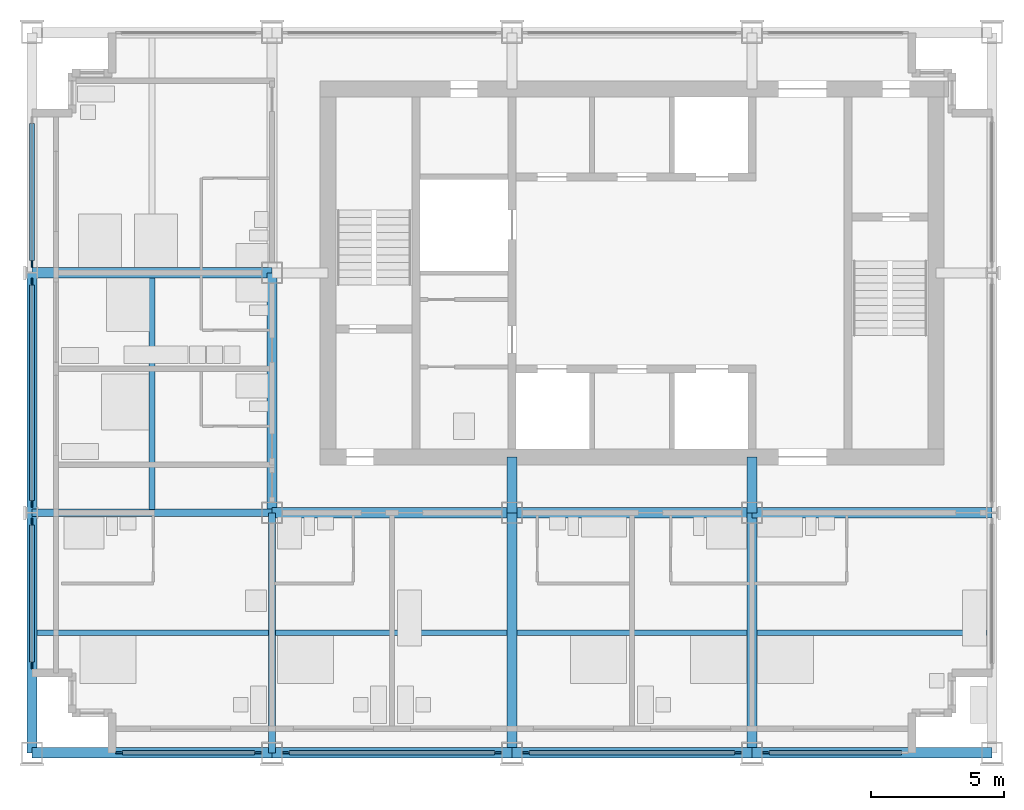
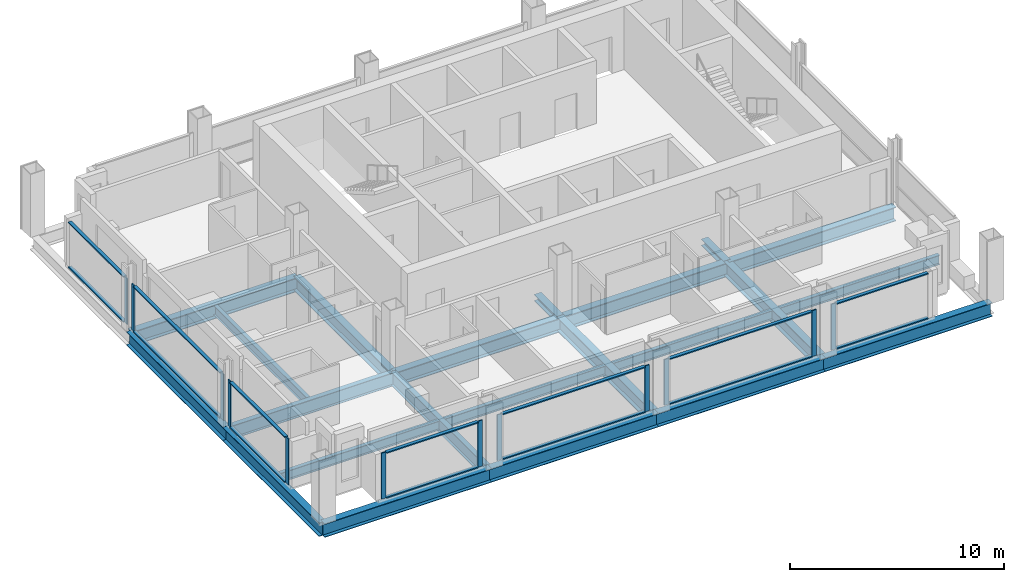
# One storey, part 2 of 12: 28 members, 20 beams, 7 elements without a shape of their own.
"""IFC4 building model written with IfcOpenShell, lengths in metres."""

from ifc_helpers import new_model, si_unit, direction, frame, origin, origin_2d, place, context, subcontext, project, spatial, rectangle, i_section, extrude, material, material_profile, profile_set, type_object, element, aggregate, save


model = new_model("IFC4")

# Units and contexts
model_context = context("Model", 3, precision=1e-05, world=origin(), true_north=direction((0.0, 1.0)))
body_context = subcontext(model_context, "Body", "Model", "MODEL_VIEW")
ifc_project = project(units=[si_unit("LENGTHUNIT", "METRE"), si_unit("AREAUNIT", "SQUARE_METRE"), si_unit("VOLUMEUNIT", "CUBIC_METRE"), si_unit("PLANEANGLEUNIT", "RADIAN"), si_unit("MASSUNIT", "GRAM", prefix="KILO")], contexts=[model_context])

# Site, building, storey
site_placement = place(None, origin())
site = spatial("IfcSite", under=ifc_project, at=site_placement, CompositionType="ELEMENT")
building_placement = place(site_placement, origin())
building = spatial("IfcBuilding", under=site, at=building_placement, Name="Loomwork Tower", CompositionType="ELEMENT")
storey_placement = place(building_placement, frame((0.0, 0.0, 233.800048828125)))
storey = spatial("IfcBuildingStorey", under=building, at=storey_placement, Name="L64", CompositionType="ELEMENT", Elevation=233.800048828125)

# Beams
ifc_material_1 = material(Name="Steel ASTM A992", Category="steel")
ifc_material_profile_1 = material_profile(ifc_material_1, i_section(OverallWidth=0.383544921875, OverallDepth=0.794921875, WebThickness=0.02099609375, FlangeThickness=0.0380859375, at=origin_2d()), Name="W30x235")
ifc_profile_set_1 = profile_set([ifc_material_profile_1], Name="Steel ASTM A992")
beam_type_1 = type_object("IfcBeamType", Name="CORE FLANK GIRDER W30x235", PredefinedType="BEAM", material=ifc_profile_set_1)
for number, where, z_axis, x_axis, name in (
    (1, (9.0, 9.0, -0.59765625), (1.0, 0.0, 0.0), (0.0, 1.0, 0.0), "Core Flank Girder E/3-E/4 L64"),
    (2, (18.0, 9.0, -0.59765625), (1.0, 0.0, 0.0), (0.0, 1.0, 0.0), "Core Flank Girder E/4-E/5 L64"),
    (3, (27.0, 9.0, -0.59765625), (1.0, 0.0, 0.0), (0.0, 1.0, 0.0), "Core Flank Girder E/5-E/6 L64"),
    (4, (0.0, 18.0, -0.59765625), (1.0, 0.0, 0.0), (0.0, 1.0, 0.0), "Core Flank Girder F/2-F/3 L64"),
    (5, (9.0, 9.0, -0.59765625), (0.0, 1.0, 0.0), (-1.0, 0.0, 0.0), "Core Flank Girder E/3-F/3 L64"),
    (6, (18.0, 0.0, -0.59765625), (0.0, 1.0, 0.0), (-1.0, 0.0, 0.0), "Core Flank Girder D/4-E/4 L64"),
    (7, (27.0, 0.0, -0.59765625), (0.0, 1.0, 0.0), (-1.0, 0.0, 0.0), "Core Flank Girder D/5-E/5 L64"),
):
    element("IfcBeam", number, at=place(storey_placement, frame(where, z_axis=z_axis, x_axis=x_axis)), inside=storey, type_object=beam_type_1, Name=name, PredefinedType="BEAM", context=body_context, shape_type="SweptSolid", body=[
        extrude(i_section(OverallWidth=0.383544921875, OverallDepth=0.794921875, WebThickness=0.02099609375, FlangeThickness=0.0380859375, at=origin_2d()), origin(), (0.0, 0.0, 1.0), 9.0),
    ])

# Members
ifc_material_2 = material(Name="Steel ASTM A992", Category="steel")
ifc_material_profile_2 = material_profile(ifc_material_2, i_section(OverallWidth=0.373291015625, OverallDepth=0.373291015625, WebThickness=0.016357421875, FlangeThickness=0.026123046875, at=origin_2d()), Name="W14x132")
ifc_profile_set_2 = profile_set([ifc_material_profile_2], Name="Steel ASTM A992")
member_type_1 = type_object("IfcMemberType", Name="CORE LINK STRUT W14x132", PredefinedType="STRUT", material=ifc_profile_set_2)
for number, where, z_axis, x_axis, name in (
    (8, (18.0, 9.0, -0.38671875), (0.0, 1.0, 0.0), (-1.0, 0.0, 0.0), "Core link strut E/4-18.000,11.100 L64"),
    (9, (27.0, 9.0, -0.38671875), (0.0, 1.0, 0.0), (-1.0, 0.0, 0.0), "Core link strut E/5-27.000,11.100 L64"),
):
    element("IfcMember", number, at=place(storey_placement, frame(where, z_axis=z_axis, x_axis=x_axis)), inside=storey, type_object=member_type_1, Name=name, PredefinedType="STRUT", context=body_context, shape_type="SweptSolid", body=[
        extrude(i_section(OverallWidth=0.373291015625, OverallDepth=0.373291015625, WebThickness=0.016357421875, FlangeThickness=0.026123046875, at=origin_2d()), origin(), (0.0, 0.0, 1.0), 2.10009765625),
    ])

# Beams
ifc_material_3 = material(Name="Steel ASTM A992", Category="steel")
ifc_material_profile_3 = material_profile(ifc_material_3, i_section(OverallWidth=0.2666015625, OverallDepth=0.761962890625, WebThickness=0.014404296875, FlangeThickness=0.021484375, at=origin_2d()), Name="W30x116")
ifc_profile_set_3 = profile_set([ifc_material_profile_3], Name="Steel ASTM A992")
beam_type_2 = type_object("IfcBeamType", Name="FLOOR GIRDER W30x116", PredefinedType="BEAM", material=ifc_profile_set_3)
for number, where, z_axis, x_axis, name in (
    (10, (0.0, 9.0, -0.5810546875), (1.0, 0.0, 0.0), (0.0, 1.0, 0.0), "Floor Girder E/2-E/3 L64"),
    (11, (9.0, 0.0, -0.5810546875), (0.0, 1.0, 0.0), (-1.0, 0.0, 0.0), "Floor Girder D/3-E/3 L64"),
):
    element("IfcBeam", number, at=place(storey_placement, frame(where, z_axis=z_axis, x_axis=x_axis)), inside=storey, type_object=beam_type_2, Name=name, PredefinedType="BEAM", context=body_context, shape_type="SweptSolid", body=[
        extrude(i_section(OverallWidth=0.2666015625, OverallDepth=0.761962890625, WebThickness=0.014404296875, FlangeThickness=0.021484375, at=origin_2d()), origin(), (0.0, 0.0, 1.0), 9.0),
    ])
ifc_material_4 = material(Name="Steel ASTM A992", Category="steel")
ifc_material_profile_4 = material_profile(ifc_material_4, i_section(OverallWidth=0.2109375, OverallDepth=0.53857421875, WebThickness=0.011474609375, FlangeThickness=0.018798828125, at=origin_2d()), Name="W21x73")
ifc_profile_set_4 = profile_set([ifc_material_profile_4], Name="Steel ASTM A992")
beam_type_3 = type_object("IfcBeamType", Name="FLOOR JOIST W21x73", PredefinedType="JOIST", material=ifc_profile_set_4)
beam_1_placement = place(storey_placement, frame((0.18994140625, 4.5, -0.46923828125), z_axis=(1.0, 0.0, 0.0), x_axis=(0.0, 1.0, 0.0)))
element("IfcBeam", 12, at=beam_1_placement, inside=storey, type_object=beam_type_3, Name="Floor Joist 0.000,4.500-9.000,4.500 L64", PredefinedType="JOIST", context=body_context, shape_type="SweptSolid", body=[
    extrude(i_section(OverallWidth=0.2109375, OverallDepth=0.53857421875, WebThickness=0.011474609375, FlangeThickness=0.018798828125, at=origin_2d()), origin(), (0.0, 0.0, 1.0), 8.677001953125),
])
for number, where, z_axis, x_axis, name in (
    (13, (4.5, 9.133056640625, -0.46923828125), (0.0, 1.0, 0.0), (-1.0, 0.0, 0.0), "Floor Joist 4.500,9.000-4.500,18.000 L64"),
    (14, (9.133056640625, 4.5, -0.46923828125), (1.0, 0.0, 0.0), (0.0, 1.0, 0.0), "Floor Joist 9.000,4.500-18.000,4.500 L64"),
):
    element("IfcBeam", number, at=place(storey_placement, frame(where, z_axis=z_axis, x_axis=x_axis)), inside=storey, type_object=beam_type_3, Name=name, PredefinedType="JOIST", context=body_context, shape_type="SweptSolid", body=[
        extrude(i_section(OverallWidth=0.2109375, OverallDepth=0.53857421875, WebThickness=0.011474609375, FlangeThickness=0.018798828125, at=origin_2d()), origin(), (0.0, 0.0, 1.0), 8.676025390625),
    ])
beam_2_placement = place(storey_placement, frame((18.19091796875, 4.5, -0.46923828125), z_axis=(1.0, 0.0, 0.0), x_axis=(0.0, 1.0, 0.0)))
element("IfcBeam", 15, at=beam_2_placement, inside=storey, type_object=beam_type_3, Name="Floor Joist 18.000,4.500-27.000,4.500 L64", PredefinedType="JOIST", context=body_context, shape_type="SweptSolid", body=[
    extrude(i_section(OverallWidth=0.2109375, OverallDepth=0.53857421875, WebThickness=0.011474609375, FlangeThickness=0.018798828125, at=origin_2d()), origin(), (0.0, 0.0, 1.0), 8.6181640625),
])
beam_3_placement = place(storey_placement, frame((27.19091796875, 4.5, -0.46923828125), z_axis=(1.0, 0.0, 0.0), x_axis=(0.0, 1.0, 0.0)))
element("IfcBeam", 16, at=beam_3_placement, inside=storey, type_object=beam_type_3, Name="Floor Joist 27.000,4.500-36.000,4.500 L64", PredefinedType="JOIST", context=body_context, shape_type="SweptSolid", body=[
    extrude(i_section(OverallWidth=0.2109375, OverallDepth=0.53857421875, WebThickness=0.011474609375, FlangeThickness=0.018798828125, at=origin_2d()), origin(), (0.0, 0.0, 1.0), 8.619140625),
])

# Curtain wall, members
ifc_material_5 = material(Name="Aluminium curtain wall frame", Category="aluminium")
curtain_wall_type = type_object("IfcCurtainWallType", Name="Outer skin glazing suites", PredefinedType="NOTDEFINED", material=ifc_material_5)
curtain_wall_1_placement = place(storey_placement, origin())
curtain_wall_1 = element("IfcCurtainWall", 17, at=curtain_wall_1_placement, inside=storey, type_object=curtain_wall_type, Name="Outer skin glazing suites cw/S-0", PredefinedType="NOTDEFINED")
ifc_material_6 = material(Name="Aluminium curtain wall frame", Category="aluminium")
ifc_material_profile_5 = material_profile(ifc_material_6, rectangle(XDim=0.06494140625, YDim=0.25, at=origin_2d()), Name="AL 65x250")
ifc_profile_set_5 = profile_set([ifc_material_profile_5], Name="Aluminium curtain wall frame")
member_type_2 = type_object("IfcMemberType", Name="Outer skin glazing suites mullion", PredefinedType="MULLION", material=ifc_profile_set_5)
member_1_placement = place(storey_placement, frame((3.27490234375, 0.0, 0.0), z_axis=(0.0, 0.0, 1.0), x_axis=(0.0, 1.0, 0.0)))
member_1 = element("IfcMember", 18, at=member_1_placement, type_object=member_type_2, Name="CW2 mullion 1", PredefinedType="MULLION", context=body_context, shape_type="SweptSolid", body=[
    extrude(rectangle(XDim=0.06494140625, YDim=0.25, at=origin_2d()), origin(), (0.0, 0.0, 1.0), 2.6201171875),
])
member_2_placement = place(storey_placement, frame((8.47509765625, 0.0, 0.0), z_axis=(0.0, 0.0, 1.0), x_axis=(0.0, 1.0, 0.0)))
member_2 = element("IfcMember", 19, at=member_2_placement, type_object=member_type_2, Name="CW2 mullion 2", PredefinedType="MULLION", context=body_context, shape_type="SweptSolid", body=[
    extrude(rectangle(XDim=0.06494140625, YDim=0.25, at=origin_2d()), origin(), (0.0, 0.0, 1.0), 2.6201171875),
])

curtain_wall_2_placement = place(storey_placement, origin())
curtain_wall_2 = element("IfcCurtainWall", 20, at=curtain_wall_2_placement, inside=storey, type_object=curtain_wall_type, Name="Outer skin glazing suites cw/S-9", PredefinedType="NOTDEFINED")
member_3_placement = place(storey_placement, frame((9.52490234375, 0.0, 0.0), z_axis=(0.0, 0.0, 1.0), x_axis=(0.0, 1.0, 0.0)))
member_3 = element("IfcMember", 21, at=member_3_placement, type_object=member_type_2, Name="CW2 mullion 1", PredefinedType="MULLION", context=body_context, shape_type="SweptSolid", body=[
    extrude(rectangle(XDim=0.06494140625, YDim=0.25, at=origin_2d()), origin(), (0.0, 0.0, 1.0), 2.6201171875),
])
member_4_placement = place(storey_placement, frame((17.47509765625, 0.0, 0.0), z_axis=(0.0, 0.0, 1.0), x_axis=(0.0, 1.0, 0.0)))
member_4 = element("IfcMember", 22, at=member_4_placement, type_object=member_type_2, Name="CW2 mullion 2", PredefinedType="MULLION", context=body_context, shape_type="SweptSolid", body=[
    extrude(rectangle(XDim=0.06494140625, YDim=0.25, at=origin_2d()), origin(), (0.0, 0.0, 1.0), 2.6201171875),
])

curtain_wall_3_placement = place(storey_placement, origin())
curtain_wall_3 = element("IfcCurtainWall", 23, at=curtain_wall_3_placement, inside=storey, type_object=curtain_wall_type, Name="Outer skin glazing suites cw/S-18", PredefinedType="NOTDEFINED")
member_5_placement = place(storey_placement, frame((18.52490234375, 0.0, 0.0), z_axis=(0.0, 0.0, 1.0), x_axis=(0.0, 1.0, 0.0)))
member_5 = element("IfcMember", 24, at=member_5_placement, type_object=member_type_2, Name="CW2 mullion 1", PredefinedType="MULLION", context=body_context, shape_type="SweptSolid", body=[
    extrude(rectangle(XDim=0.06494140625, YDim=0.25, at=origin_2d()), origin(), (0.0, 0.0, 1.0), 2.6201171875),
])
member_6_placement = place(storey_placement, frame((26.47509765625, 0.0, 0.0), z_axis=(0.0, 0.0, 1.0), x_axis=(0.0, 1.0, 0.0)))
member_6 = element("IfcMember", 25, at=member_6_placement, type_object=member_type_2, Name="CW2 mullion 2", PredefinedType="MULLION", context=body_context, shape_type="SweptSolid", body=[
    extrude(rectangle(XDim=0.06494140625, YDim=0.25, at=origin_2d()), origin(), (0.0, 0.0, 1.0), 2.6201171875),
])

# Curtain wall, member
curtain_wall_4_placement = place(storey_placement, origin())
curtain_wall_4 = element("IfcCurtainWall", 26, at=curtain_wall_4_placement, inside=storey, type_object=curtain_wall_type, Name="Outer skin glazing suites cw/S-27", PredefinedType="NOTDEFINED")
member_7_placement = place(storey_placement, frame((27.52490234375, 0.0, 0.0), z_axis=(0.0, 0.0, 1.0), x_axis=(0.0, 1.0, 0.0)))
member_7 = element("IfcMember", 27, at=member_7_placement, type_object=member_type_2, Name="CW2 mullion 1", PredefinedType="MULLION", context=body_context, shape_type="SweptSolid", body=[
    extrude(rectangle(XDim=0.06494140625, YDim=0.25, at=origin_2d()), origin(), (0.0, 0.0, 1.0), 2.6201171875),
])

# Curtain wall, members
curtain_wall_5_placement = place(storey_placement, origin())
curtain_wall_5 = element("IfcCurtainWall", 28, at=curtain_wall_5_placement, inside=storey, type_object=curtain_wall_type, Name="Outer skin glazing suites cw/W-0", PredefinedType="NOTDEFINED")
member_8_placement = place(storey_placement, frame((0.0, 8.664306640625, 0.0), z_axis=(0.0, 0.0, 1.0), x_axis=(1.0, 0.0, 0.0)))
member_8 = element("IfcMember", 29, at=member_8_placement, type_object=member_type_2, Name="CW2 mullion 1", PredefinedType="MULLION", context=body_context, shape_type="SweptSolid", body=[
    extrude(rectangle(XDim=0.06494140625, YDim=0.25, at=origin_2d()), origin(), (0.0, 0.0, 1.0), 2.6201171875),
])
member_9_placement = place(storey_placement, frame((0.0, 3.27490234375, 0.0), z_axis=(0.0, 0.0, 1.0), x_axis=(1.0, 0.0, 0.0)))
member_9 = element("IfcMember", 30, at=member_9_placement, type_object=member_type_2, Name="CW2 mullion 2", PredefinedType="MULLION", context=body_context, shape_type="SweptSolid", body=[
    extrude(rectangle(XDim=0.06494140625, YDim=0.25, at=origin_2d()), origin(), (0.0, 0.0, 1.0), 2.6201171875),
])

curtain_wall_6_placement = place(storey_placement, origin())
curtain_wall_6 = element("IfcCurtainWall", 31, at=curtain_wall_6_placement, inside=storey, type_object=curtain_wall_type, Name="Outer skin glazing suites cw/W-9", PredefinedType="NOTDEFINED")
member_10_placement = place(storey_placement, frame((0.0, 17.664306640625, 0.0), z_axis=(0.0, 0.0, 1.0), x_axis=(1.0, 0.0, 0.0)))
member_10 = element("IfcMember", 32, at=member_10_placement, type_object=member_type_2, Name="CW2 mullion 1", PredefinedType="MULLION", context=body_context, shape_type="SweptSolid", body=[
    extrude(rectangle(XDim=0.06494140625, YDim=0.25, at=origin_2d()), origin(), (0.0, 0.0, 1.0), 2.6201171875),
])
member_11_placement = place(storey_placement, frame((0.0, 9.335693359375, 0.0), z_axis=(0.0, 0.0, 1.0), x_axis=(1.0, 0.0, 0.0)))
member_11 = element("IfcMember", 33, at=member_11_placement, type_object=member_type_2, Name="CW2 mullion 2", PredefinedType="MULLION", context=body_context, shape_type="SweptSolid", body=[
    extrude(rectangle(XDim=0.06494140625, YDim=0.25, at=origin_2d()), origin(), (0.0, 0.0, 1.0), 2.6201171875),
])

# Curtain wall, member
curtain_wall_7_placement = place(storey_placement, origin())
curtain_wall_7 = element("IfcCurtainWall", 34, at=curtain_wall_7_placement, inside=storey, type_object=curtain_wall_type, Name="Outer skin glazing suites cw/W-18", PredefinedType="NOTDEFINED")
member_12_placement = place(storey_placement, frame((0.0, 18.335693359375, 0.0), z_axis=(0.0, 0.0, 1.0), x_axis=(1.0, 0.0, 0.0)))
member_12 = element("IfcMember", 35, at=member_12_placement, type_object=member_type_2, Name="CW2 mullion 2", PredefinedType="MULLION", context=body_context, shape_type="SweptSolid", body=[
    extrude(rectangle(XDim=0.06494140625, YDim=0.25, at=origin_2d()), origin(), (0.0, 0.0, 1.0), 2.6201171875),
])

# Member
ifc_material_7 = material(Name="Aluminium curtain wall frame", Category="aluminium")
ifc_material_profile_6 = material_profile(ifc_material_7, rectangle(XDim=0.179931640625, YDim=0.06494140625, at=origin_2d()), Name="AL 65x180")
ifc_profile_set_6 = profile_set([ifc_material_profile_6], Name="Aluminium curtain wall frame")
member_type_3 = type_object("IfcMemberType", Name="Outer skin glazing suites transom", PredefinedType="USERDEFINED", material=ifc_profile_set_6)
member_13_placement = place(storey_placement, frame((3.39990234375, 0.0, 0.032470703125), z_axis=(1.0, 0.0, 0.0), x_axis=(0.0, 1.0, 0.0)))
member_13 = element("IfcMember", 36, at=member_13_placement, type_object=member_type_3, Name="CW2 transom 1.1", ObjectType="TRANSOM", PredefinedType="USERDEFINED", context=body_context, shape_type="SweptSolid", body=[
    extrude(rectangle(XDim=0.179931640625, YDim=0.06494140625, at=origin_2d()), origin(), (0.0, 0.0, 1.0), 4.9501953125),
])

member_14_placement = place(storey_placement, frame((3.39990234375, 0.0, 2.587646484375), z_axis=(1.0, 0.0, 0.0), x_axis=(0.0, 1.0, 0.0)))
member_14 = element("IfcMember", 37, at=member_14_placement, type_object=member_type_3, Name="CW2 transom 1.2", ObjectType="TRANSOM", PredefinedType="USERDEFINED", context=body_context, shape_type="SweptSolid", body=[
    extrude(rectangle(XDim=0.179931640625, YDim=0.06494140625, at=origin_2d()), origin(), (0.0, 0.0, 1.0), 4.9501953125),
])

aggregate(curtain_wall_1, [member_1, member_2, member_13, member_14])

member_15_placement = place(storey_placement, frame((9.64990234375, 0.0, 0.032470703125), z_axis=(1.0, 0.0, 0.0), x_axis=(0.0, 1.0, 0.0)))
member_15 = element("IfcMember", 38, at=member_15_placement, type_object=member_type_3, Name="CW2 transom 1.1", ObjectType="TRANSOM", PredefinedType="USERDEFINED", context=body_context, shape_type="SweptSolid", body=[
    extrude(rectangle(XDim=0.179931640625, YDim=0.06494140625, at=origin_2d()), origin(), (0.0, 0.0, 1.0), 7.7001953125),
])

member_16_placement = place(storey_placement, frame((9.64990234375, 0.0, 2.587646484375), z_axis=(1.0, 0.0, 0.0), x_axis=(0.0, 1.0, 0.0)))
member_16 = element("IfcMember", 39, at=member_16_placement, type_object=member_type_3, Name="CW2 transom 1.2", ObjectType="TRANSOM", PredefinedType="USERDEFINED", context=body_context, shape_type="SweptSolid", body=[
    extrude(rectangle(XDim=0.179931640625, YDim=0.06494140625, at=origin_2d()), origin(), (0.0, 0.0, 1.0), 7.7001953125),
])

aggregate(curtain_wall_2, [member_3, member_4, member_15, member_16])

member_17_placement = place(storey_placement, frame((18.64990234375, 0.0, 0.032470703125), z_axis=(1.0, 0.0, 0.0), x_axis=(0.0, 1.0, 0.0)))
member_17 = element("IfcMember", 40, at=member_17_placement, type_object=member_type_3, Name="CW2 transom 1.1", ObjectType="TRANSOM", PredefinedType="USERDEFINED", context=body_context, shape_type="SweptSolid", body=[
    extrude(rectangle(XDim=0.179931640625, YDim=0.06494140625, at=origin_2d()), origin(), (0.0, 0.0, 1.0), 7.7001953125),
])

member_18_placement = place(storey_placement, frame((18.64990234375, 0.0, 2.587646484375), z_axis=(1.0, 0.0, 0.0), x_axis=(0.0, 1.0, 0.0)))
member_18 = element("IfcMember", 41, at=member_18_placement, type_object=member_type_3, Name="CW2 transom 1.2", ObjectType="TRANSOM", PredefinedType="USERDEFINED", context=body_context, shape_type="SweptSolid", body=[
    extrude(rectangle(XDim=0.179931640625, YDim=0.06494140625, at=origin_2d()), origin(), (0.0, 0.0, 1.0), 7.7001953125),
])

aggregate(curtain_wall_3, [member_5, member_6, member_17, member_18])

member_19_placement = place(storey_placement, frame((27.64990234375, 0.0, 0.032470703125), z_axis=(1.0, 0.0, 0.0), x_axis=(0.0, 1.0, 0.0)))
member_19 = element("IfcMember", 42, at=member_19_placement, type_object=member_type_3, Name="CW2 transom 1.1", ObjectType="TRANSOM", PredefinedType="USERDEFINED", context=body_context, shape_type="SweptSolid", body=[
    extrude(rectangle(XDim=0.179931640625, YDim=0.06494140625, at=origin_2d()), origin(), (0.0, 0.0, 1.0), 4.9501953125),
])

member_20_placement = place(storey_placement, frame((27.64990234375, 0.0, 2.587646484375), z_axis=(1.0, 0.0, 0.0), x_axis=(0.0, 1.0, 0.0)))
member_20 = element("IfcMember", 43, at=member_20_placement, type_object=member_type_3, Name="CW2 transom 1.2", ObjectType="TRANSOM", PredefinedType="USERDEFINED", context=body_context, shape_type="SweptSolid", body=[
    extrude(rectangle(XDim=0.179931640625, YDim=0.06494140625, at=origin_2d()), origin(), (0.0, 0.0, 1.0), 4.9501953125),
])

aggregate(curtain_wall_4, [member_7, member_19, member_20])

member_21_placement = place(storey_placement, frame((0.0, 8.539306640625, 0.032470703125), z_axis=(0.0, -1.0, 0.0), x_axis=(1.0, 0.0, 0.0)))
member_21 = element("IfcMember", 44, at=member_21_placement, type_object=member_type_3, Name="CW2 transom 1.1", ObjectType="TRANSOM", PredefinedType="USERDEFINED", context=body_context, shape_type="SweptSolid", body=[
    extrude(rectangle(XDim=0.179931640625, YDim=0.06494140625, at=origin_2d()), origin(), (0.0, 0.0, 1.0), 5.139404296875),
])

member_22_placement = place(storey_placement, frame((0.0, 8.539306640625, 2.587646484375), z_axis=(0.0, -1.0, 0.0), x_axis=(1.0, 0.0, 0.0)))
member_22 = element("IfcMember", 45, at=member_22_placement, type_object=member_type_3, Name="CW2 transom 1.2", ObjectType="TRANSOM", PredefinedType="USERDEFINED", context=body_context, shape_type="SweptSolid", body=[
    extrude(rectangle(XDim=0.179931640625, YDim=0.06494140625, at=origin_2d()), origin(), (0.0, 0.0, 1.0), 5.139404296875),
])

aggregate(curtain_wall_5, [member_8, member_9, member_21, member_22])

member_23_placement = place(storey_placement, frame((0.0, 17.539306640625, 0.032470703125), z_axis=(0.0, -1.0, 0.0), x_axis=(1.0, 0.0, 0.0)))
member_23 = element("IfcMember", 46, at=member_23_placement, type_object=member_type_3, Name="CW2 transom 1.1", ObjectType="TRANSOM", PredefinedType="USERDEFINED", context=body_context, shape_type="SweptSolid", body=[
    extrude(rectangle(XDim=0.179931640625, YDim=0.06494140625, at=origin_2d()), origin(), (0.0, 0.0, 1.0), 8.07861328125),
])

member_24_placement = place(storey_placement, frame((0.0, 17.539306640625, 2.587646484375), z_axis=(0.0, -1.0, 0.0), x_axis=(1.0, 0.0, 0.0)))
member_24 = element("IfcMember", 47, at=member_24_placement, type_object=member_type_3, Name="CW2 transom 1.2", ObjectType="TRANSOM", PredefinedType="USERDEFINED", context=body_context, shape_type="SweptSolid", body=[
    extrude(rectangle(XDim=0.179931640625, YDim=0.06494140625, at=origin_2d()), origin(), (0.0, 0.0, 1.0), 8.07861328125),
])

aggregate(curtain_wall_6, [member_10, member_11, member_23, member_24])

member_25_placement = place(storey_placement, frame((0.0, 23.60009765625, 0.032470703125), z_axis=(0.0, -1.0, 0.0), x_axis=(1.0, 0.0, 0.0)))
member_25 = element("IfcMember", 48, at=member_25_placement, type_object=member_type_3, Name="CW2 transom 1.1", ObjectType="TRANSOM", PredefinedType="USERDEFINED", context=body_context, shape_type="SweptSolid", body=[
    extrude(rectangle(XDim=0.179931640625, YDim=0.06494140625, at=origin_2d()), origin(), (0.0, 0.0, 1.0), 5.139404296875),
])

member_26_placement = place(storey_placement, frame((0.0, 23.60009765625, 2.587646484375), z_axis=(0.0, -1.0, 0.0), x_axis=(1.0, 0.0, 0.0)))
member_26 = element("IfcMember", 49, at=member_26_placement, type_object=member_type_3, Name="CW2 transom 1.2", ObjectType="TRANSOM", PredefinedType="USERDEFINED", context=body_context, shape_type="SweptSolid", body=[
    extrude(rectangle(XDim=0.179931640625, YDim=0.06494140625, at=origin_2d()), origin(), (0.0, 0.0, 1.0), 5.139404296875),
])

aggregate(curtain_wall_7, [member_12, member_25, member_26])

# Beams
ifc_material_8 = material(Name="Steel ASTM A992", Category="steel")
ifc_material_profile_7 = material_profile(ifc_material_8, i_section(OverallWidth=0.381103515625, OverallDepth=0.77978515625, WebThickness=0.01806640625, FlangeThickness=0.0302734375, at=origin_2d()), Name="W30x191")
ifc_profile_set_7 = profile_set([ifc_material_profile_7], Name="Steel ASTM A992")
beam_type_4 = type_object("IfcBeamType", Name="SPANDREL GIRDER W30x191", PredefinedType="SPANDREL", material=ifc_profile_set_7)
for number, where, z_axis, x_axis, name in (
    (50, (0.0, 0.0, -0.58984375), (1.0, 0.0, 0.0), (0.0, 1.0, 0.0), "Spandrel Girder D/2-D/3 L64"),
    (51, (9.0, 0.0, -0.58984375), (1.0, 0.0, 0.0), (0.0, 1.0, 0.0), "Spandrel Girder D/3-D/4 L64"),
    (52, (18.0, 0.0, -0.58984375), (1.0, 0.0, 0.0), (0.0, 1.0, 0.0), "Spandrel Girder D/4-D/5 L64"),
    (53, (27.0, 0.0, -0.58984375), (1.0, 0.0, 0.0), (0.0, 1.0, 0.0), "Spandrel Girder D/5-D/6 L64"),
    (54, (0.0, 0.0, -0.58984375), (0.0, 1.0, 0.0), (-1.0, 0.0, 0.0), "Spandrel Girder D/2-E/2 L64"),
    (55, (0.0, 9.0, -0.58984375), (0.0, 1.0, 0.0), (-1.0, 0.0, 0.0), "Spandrel Girder E/2-F/2 L64"),
):
    element("IfcBeam", number, at=place(storey_placement, frame(where, z_axis=z_axis, x_axis=x_axis)), inside=storey, type_object=beam_type_4, Name=name, PredefinedType="SPANDREL", context=body_context, shape_type="SweptSolid", body=[
        extrude(i_section(OverallWidth=0.381103515625, OverallDepth=0.77978515625, WebThickness=0.01806640625, FlangeThickness=0.0302734375, at=origin_2d()), origin(), (0.0, 0.0, 1.0), 9.0),
    ])

save(model, "model.ifc")
